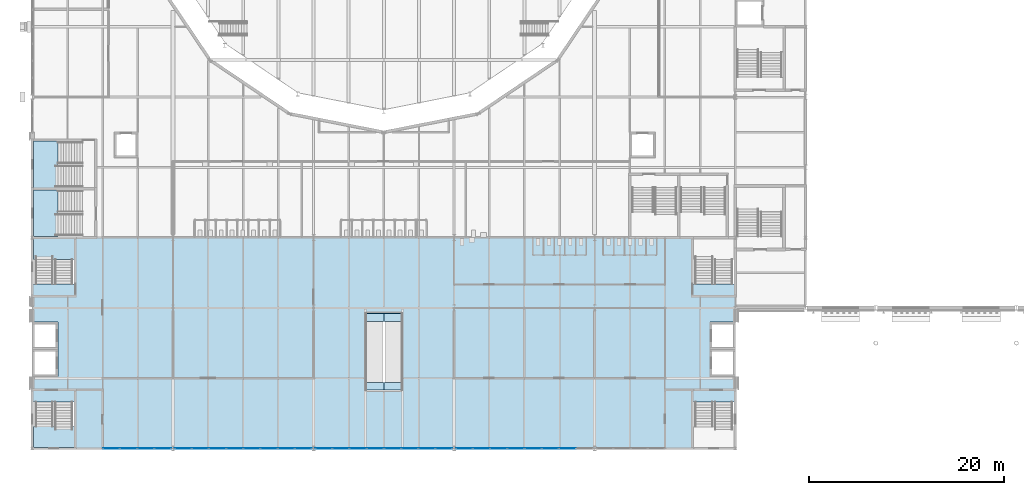
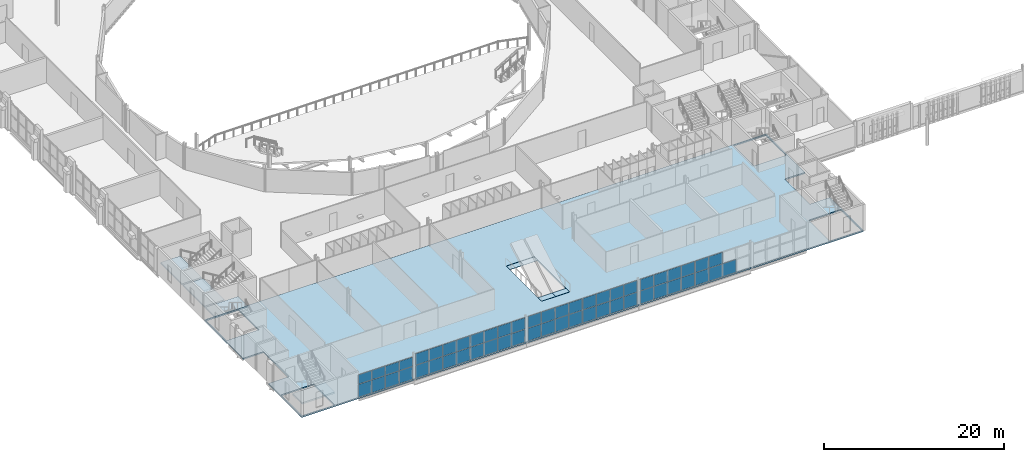
# One storey, part 57 of 124: 57 plates, 5 slabs, 11 elements without a shape of their own.
"""IFC4 building model written with IfcOpenShell, lengths in metres."""

from ifc_helpers import new_model, si_unit, direction, frame, origin, origin_2d, place, context, subcontext, project, spatial, polyline, rectangle, outline, extrude, material, layer, layer_set, type_object, element, aggregate, save


model = new_model("IFC4")

# Units and contexts
model_context = context("Model", 3, precision=1e-05, world=origin(), true_north=direction((0.0, 1.0)))
body_context = subcontext(model_context, "Body", "Model", "MODEL_VIEW")
ifc_project = project(units=[si_unit("LENGTHUNIT", "METRE"), si_unit("AREAUNIT", "SQUARE_METRE"), si_unit("VOLUMEUNIT", "CUBIC_METRE"), si_unit("PLANEANGLEUNIT", "RADIAN"), si_unit("MASSUNIT", "GRAM", prefix="KILO")], contexts=[model_context])

# Site, building, storey
site_placement = place(None, origin())
site = spatial("IfcSite", under=ifc_project, at=site_placement, CompositionType="ELEMENT")
building_placement = place(site_placement, origin())
building = spatial("IfcBuilding", under=site, at=building_placement, Name="Kupolbacken Congress Centre", CompositionType="ELEMENT")
storey_placement = place(building_placement, frame((0.0, 0.0, 10.800048828125)))
storey = spatial("IfcBuildingStorey", under=building, at=storey_placement, Name="L03", CompositionType="ELEMENT", Elevation=10.800048828125)

# Plates
ifc_material_1 = material(Name="Steel S355", Category="steel")
ifc_layer_1 = layer(ifc_material_1, 0.0400390625)
ifc_layer_set_1 = layer_set([ifc_layer_1], Name="Steel S355")
plate_type_1 = type_object("IfcPlateType", Name="EP1 escalator comb plate 40", PredefinedType="SHEET", material=ifc_layer_set_1)
plate_1_placement = place(storey_placement, frame((0.0, 0.0, -0.0400390625)))
element("IfcPlate", 1, at=plate_1_placement, inside=storey, type_object=plate_type_1, Name="Escalator comb plate", PredefinedType="SHEET", context=body_context, shape_type="SweptSolid", body=[
    extrude(outline(polyline([(41.39990234375, 41.817626953125), (43.199951171875, 41.817626953125), (43.199951171875, 42.61767578125), (41.39990234375, 42.61767578125), (41.39990234375, 41.817626953125)])), origin(), (0.0, 0.0, 1.0), 0.0400390625),
])
plate_2_placement = place(storey_placement, frame((0.0, 0.0, -0.0400390625)))
element("IfcPlate", 2, at=plate_2_placement, inside=storey, type_object=plate_type_1, Name="Escalator comb plate", PredefinedType="SHEET", context=body_context, shape_type="SweptSolid", body=[
    extrude(outline(polyline([(43.199951171875, 41.817626953125), (45.0, 41.817626953125), (45.0, 42.61767578125), (43.199951171875, 42.61767578125), (43.199951171875, 41.817626953125)])), origin(), (0.0, 0.0, 1.0), 0.0400390625),
])
plate_3_placement = place(storey_placement, frame((0.0, 0.0, -0.0400390625)))
element("IfcPlate", 3, at=plate_3_placement, inside=storey, type_object=plate_type_1, Name="Escalator comb plate", PredefinedType="SHEET", context=body_context, shape_type="SweptSolid", body=[
    extrude(outline(polyline([(41.39990234375, 34.7822265625), (43.199951171875, 34.7822265625), (43.199951171875, 35.582275390625), (41.39990234375, 35.582275390625), (41.39990234375, 34.7822265625)])), origin(), (0.0, 0.0, 1.0), 0.0400390625),
])
plate_4_placement = place(storey_placement, frame((0.0, 0.0, -0.0400390625)))
element("IfcPlate", 4, at=plate_4_placement, inside=storey, type_object=plate_type_1, Name="Escalator comb plate", PredefinedType="SHEET", context=body_context, shape_type="SweptSolid", body=[
    extrude(outline(polyline([(43.199951171875, 34.7822265625), (45.0, 34.7822265625), (45.0, 35.582275390625), (43.199951171875, 35.582275390625), (43.199951171875, 34.7822265625)])), origin(), (0.0, 0.0, 1.0), 0.0400390625),
])

# Slab
ifc_material_2 = material(Name="Concrete C30/37", Category="concrete")
ifc_layer_2 = layer(ifc_material_2, 0.1201171875)
ifc_material_3 = material(Name="Steel S350 profiled deck", Category="steel")
ifc_layer_3 = layer(ifc_material_3, 0.06005859375)
ifc_layer_set_2 = layer_set([ifc_layer_2, ifc_layer_3], Name="Concrete C30/37 / Steel S350 profiled deck")
slab_type_1 = type_object("IfcSlabType", Name="FS3 slab 180", PredefinedType="FLOOR", material=ifc_layer_set_2)
slab_1_placement = place(storey_placement, frame((0.0, 0.0, -0.179931640625)))
element("IfcSlab", 5, at=slab_1_placement, inside=storey, type_object=slab_type_1, Name="S/floor/F/L03/slab/slab", PredefinedType="FLOOR", context=body_context, shape_type="SweptSolid", body=[
    extrude(outline(polyline([(79.199462890625, 28.800537109375), (79.199462890625, 36.1494140625), (76.599609375, 36.1494140625), (76.599609375, 41.75048828125), (79.199462890625, 41.75048828125), (79.199462890625, 50.3994140625), (7.200439453125, 50.3994140625), (7.200439453125, 41.75048828125), (9.800537109375, 41.75048828125), (9.800537109375, 36.1494140625), (7.200439453125, 36.1494140625), (7.200439453125, 28.800537109375), (79.199462890625, 28.800537109375)]), holes=[polyline([(79.075439453125, 33.54052734375), (79.075439453125, 28.924560546875), (74.924560546875, 28.924560546875), (74.924560546875, 33.54052734375), (79.075439453125, 33.54052734375)]), polyline([(79.075439453125, 45.659423828125), (74.924560546875, 45.659423828125), (74.924560546875, 50.275390625), (79.075439453125, 50.275390625), (79.075439453125, 45.659423828125)]), polyline([(41.3994140625, 34.76171875), (41.3994140625, 42.63818359375), (45.00048828125, 42.63818359375), (45.00048828125, 34.76171875), (41.3994140625, 34.76171875)]), polyline([(7.324462890625, 33.54052734375), (11.4755859375, 33.54052734375), (11.4755859375, 28.924560546875), (7.324462890625, 28.924560546875), (7.324462890625, 33.54052734375)]), polyline([(11.4755859375, 45.659423828125), (7.324462890625, 45.659423828125), (7.324462890625, 50.275390625), (11.4755859375, 50.275390625), (11.4755859375, 45.659423828125)])]), origin(), (0.0, 0.0, 1.0), 0.179931640625),
])

# Curtain wall, plates
ifc_material_4 = material(Name="Aluminium mullion-transom frame with glass", Category="aluminium")
curtain_wall_type = type_object("IfcCurtainWallType", Name="CW1 curtain wall 7200x3600", PredefinedType="NOTDEFINED", material=ifc_material_4)
curtain_wall_1_placement = place(storey_placement, origin())
curtain_wall_1 = element("IfcCurtainWall", 6, at=curtain_wall_1_placement, inside=storey, type_object=curtain_wall_type, Name="E/F/S/L03/328", PredefinedType="NOTDEFINED")
ifc_material_5 = material(Name="Glass", Category="glass")
ifc_layer_4 = layer(ifc_material_5, 0.035888671875)
ifc_layer_set_3 = layer_set([ifc_layer_4], Name="Glass")
plate_type_2 = type_object("IfcPlateType", Name="GL2 glass panel 36", PredefinedType="CURTAIN_PANEL", material=ifc_layer_set_3)
plate_5_placement = place(storey_placement, frame((15.293701171875, 28.800048828125, 0.0498046875), z_axis=(0.0, 0.0, 1.0), x_axis=(1.0, 0.0, 0.0)))
plate_5 = element("IfcPlate", 7, at=plate_5_placement, type_object=plate_type_2, Name="CW1 panel 1.1", PredefinedType="CURTAIN_PANEL", context=body_context, shape_type="SweptSolid", body=[
    extrude(rectangle(XDim=1.6875, YDim=0.035888671875, at=origin_2d()), origin(), (0.0, 0.0, 1.0), 1.72509765625),
])
plate_6_placement = place(storey_placement, frame((15.293701171875, 28.800048828125, 1.824951171875), z_axis=(0.0, 0.0, 1.0), x_axis=(1.0, 0.0, 0.0)))
plate_6 = element("IfcPlate", 8, at=plate_6_placement, type_object=plate_type_2, Name="CW1 panel 1.2", PredefinedType="CURTAIN_PANEL", context=body_context, shape_type="SweptSolid", body=[
    extrude(rectangle(XDim=1.6875, YDim=0.035888671875, at=origin_2d()), origin(), (0.0, 0.0, 1.0), 1.2451171875),
])
plate_7_placement = place(storey_placement, frame((17.043701171875, 28.800048828125, 0.0498046875), z_axis=(0.0, 0.0, 1.0), x_axis=(1.0, 0.0, 0.0)))
plate_7 = element("IfcPlate", 9, at=plate_7_placement, type_object=plate_type_2, Name="CW1 panel 2.1", PredefinedType="CURTAIN_PANEL", context=body_context, shape_type="SweptSolid", body=[
    extrude(rectangle(XDim=1.71240234375, YDim=0.035888671875, at=origin_2d()), origin(), (0.0, 0.0, 1.0), 1.72509765625),
])
plate_8_placement = place(storey_placement, frame((17.043701171875, 28.800048828125, 1.824951171875), z_axis=(0.0, 0.0, 1.0), x_axis=(1.0, 0.0, 0.0)))
plate_8 = element("IfcPlate", 10, at=plate_8_placement, type_object=plate_type_2, Name="CW1 panel 2.2", PredefinedType="CURTAIN_PANEL", context=body_context, shape_type="SweptSolid", body=[
    extrude(rectangle(XDim=1.71240234375, YDim=0.035888671875, at=origin_2d()), origin(), (0.0, 0.0, 1.0), 1.2451171875),
])
plate_9_placement = place(storey_placement, frame((18.80615234375, 28.800048828125, 0.0498046875), z_axis=(0.0, 0.0, 1.0), x_axis=(1.0, 0.0, 0.0)))
plate_9 = element("IfcPlate", 11, at=plate_9_placement, type_object=plate_type_2, Name="CW1 panel 3.1", PredefinedType="CURTAIN_PANEL", context=body_context, shape_type="SweptSolid", body=[
    extrude(rectangle(XDim=1.71240234375, YDim=0.035888671875, at=origin_2d()), origin(), (0.0, 0.0, 1.0), 1.72509765625),
])
plate_10_placement = place(storey_placement, frame((18.80615234375, 28.800048828125, 1.824951171875), z_axis=(0.0, 0.0, 1.0), x_axis=(1.0, 0.0, 0.0)))
plate_10 = element("IfcPlate", 12, at=plate_10_placement, type_object=plate_type_2, Name="CW1 panel 3.2", PredefinedType="CURTAIN_PANEL", context=body_context, shape_type="SweptSolid", body=[
    extrude(rectangle(XDim=1.71240234375, YDim=0.035888671875, at=origin_2d()), origin(), (0.0, 0.0, 1.0), 1.2451171875),
])
plate_11_placement = place(storey_placement, frame((20.55615234375, 28.800048828125, 0.0498046875), z_axis=(0.0, 0.0, 1.0), x_axis=(1.0, 0.0, 0.0)))
plate_11 = element("IfcPlate", 13, at=plate_11_placement, type_object=plate_type_2, Name="CW1 panel 4.1", PredefinedType="CURTAIN_PANEL", context=body_context, shape_type="SweptSolid", body=[
    extrude(rectangle(XDim=1.6875, YDim=0.035888671875, at=origin_2d()), origin(), (0.0, 0.0, 1.0), 1.72509765625),
])
plate_12_placement = place(storey_placement, frame((20.55615234375, 28.800048828125, 1.824951171875), z_axis=(0.0, 0.0, 1.0), x_axis=(1.0, 0.0, 0.0)))
plate_12 = element("IfcPlate", 14, at=plate_12_placement, type_object=plate_type_2, Name="CW1 panel 4.2", PredefinedType="CURTAIN_PANEL", context=body_context, shape_type="SweptSolid", body=[
    extrude(rectangle(XDim=1.6875, YDim=0.035888671875, at=origin_2d()), origin(), (0.0, 0.0, 1.0), 1.2451171875),
])
aggregate(curtain_wall_1, [plate_5, plate_6, plate_7, plate_8, plate_9, plate_10, plate_11, plate_12])

curtain_wall_2_placement = place(storey_placement, origin())
curtain_wall_2 = element("IfcCurtainWall", 15, at=curtain_wall_2_placement, inside=storey, type_object=curtain_wall_type, Name="E/F/S/L03/329", PredefinedType="NOTDEFINED")
plate_13_placement = place(storey_placement, frame((22.643798828125, 28.800048828125, 0.0498046875), z_axis=(0.0, 0.0, 1.0), x_axis=(1.0, 0.0, 0.0)))
plate_13 = element("IfcPlate", 16, at=plate_13_placement, type_object=plate_type_2, Name="CW1 panel 1.1", PredefinedType="CURTAIN_PANEL", context=body_context, shape_type="SweptSolid", body=[
    extrude(rectangle(XDim=1.6875, YDim=0.035888671875, at=origin_2d()), origin(), (0.0, 0.0, 1.0), 1.72509765625),
])
plate_14_placement = place(storey_placement, frame((22.643798828125, 28.800048828125, 1.824951171875), z_axis=(0.0, 0.0, 1.0), x_axis=(1.0, 0.0, 0.0)))
plate_14 = element("IfcPlate", 17, at=plate_14_placement, type_object=plate_type_2, Name="CW1 panel 1.2", PredefinedType="CURTAIN_PANEL", context=body_context, shape_type="SweptSolid", body=[
    extrude(rectangle(XDim=1.6875, YDim=0.035888671875, at=origin_2d()), origin(), (0.0, 0.0, 1.0), 1.544921875),
])
plate_15_placement = place(storey_placement, frame((24.393798828125, 28.800048828125, 0.0498046875), z_axis=(0.0, 0.0, 1.0), x_axis=(1.0, 0.0, 0.0)))
plate_15 = element("IfcPlate", 18, at=plate_15_placement, type_object=plate_type_2, Name="CW1 panel 2.1", PredefinedType="CURTAIN_PANEL", context=body_context, shape_type="SweptSolid", body=[
    extrude(rectangle(XDim=1.71240234375, YDim=0.035888671875, at=origin_2d()), origin(), (0.0, 0.0, 1.0), 1.72509765625),
])
plate_16_placement = place(storey_placement, frame((24.393798828125, 28.800048828125, 1.824951171875), z_axis=(0.0, 0.0, 1.0), x_axis=(1.0, 0.0, 0.0)))
plate_16 = element("IfcPlate", 19, at=plate_16_placement, type_object=plate_type_2, Name="CW1 panel 2.2", PredefinedType="CURTAIN_PANEL", context=body_context, shape_type="SweptSolid", body=[
    extrude(rectangle(XDim=1.71240234375, YDim=0.035888671875, at=origin_2d()), origin(), (0.0, 0.0, 1.0), 1.544921875),
])
plate_17_placement = place(storey_placement, frame((26.15625, 28.800048828125, 0.0498046875), z_axis=(0.0, 0.0, 1.0), x_axis=(1.0, 0.0, 0.0)))
plate_17 = element("IfcPlate", 20, at=plate_17_placement, type_object=plate_type_2, Name="CW1 panel 3.1", PredefinedType="CURTAIN_PANEL", context=body_context, shape_type="SweptSolid", body=[
    extrude(rectangle(XDim=1.71240234375, YDim=0.035888671875, at=origin_2d()), origin(), (0.0, 0.0, 1.0), 1.72509765625),
])
plate_18_placement = place(storey_placement, frame((26.15625, 28.800048828125, 1.824951171875), z_axis=(0.0, 0.0, 1.0), x_axis=(1.0, 0.0, 0.0)))
plate_18 = element("IfcPlate", 21, at=plate_18_placement, type_object=plate_type_2, Name="CW1 panel 3.2", PredefinedType="CURTAIN_PANEL", context=body_context, shape_type="SweptSolid", body=[
    extrude(rectangle(XDim=1.71240234375, YDim=0.035888671875, at=origin_2d()), origin(), (0.0, 0.0, 1.0), 1.544921875),
])
plate_19_placement = place(storey_placement, frame((27.90625, 28.800048828125, 0.0498046875), z_axis=(0.0, 0.0, 1.0), x_axis=(1.0, 0.0, 0.0)))
plate_19 = element("IfcPlate", 22, at=plate_19_placement, type_object=plate_type_2, Name="CW1 panel 4.1", PredefinedType="CURTAIN_PANEL", context=body_context, shape_type="SweptSolid", body=[
    extrude(rectangle(XDim=1.6875, YDim=0.035888671875, at=origin_2d()), origin(), (0.0, 0.0, 1.0), 1.72509765625),
])
plate_20_placement = place(storey_placement, frame((27.90625, 28.800048828125, 1.824951171875), z_axis=(0.0, 0.0, 1.0), x_axis=(1.0, 0.0, 0.0)))
plate_20 = element("IfcPlate", 23, at=plate_20_placement, type_object=plate_type_2, Name="CW1 panel 4.2", PredefinedType="CURTAIN_PANEL", context=body_context, shape_type="SweptSolid", body=[
    extrude(rectangle(XDim=1.6875, YDim=0.035888671875, at=origin_2d()), origin(), (0.0, 0.0, 1.0), 1.544921875),
])
aggregate(curtain_wall_2, [plate_13, plate_14, plate_15, plate_16, plate_17, plate_18, plate_19, plate_20])

curtain_wall_3_placement = place(storey_placement, origin())
curtain_wall_3 = element("IfcCurtainWall", 24, at=curtain_wall_3_placement, inside=storey, type_object=curtain_wall_type, Name="E/F/S/L03/330", PredefinedType="NOTDEFINED")
plate_21_placement = place(storey_placement, frame((29.69384765625, 28.800048828125, 0.0498046875), z_axis=(0.0, 0.0, 1.0), x_axis=(1.0, 0.0, 0.0)))
plate_21 = element("IfcPlate", 25, at=plate_21_placement, type_object=plate_type_2, Name="CW1 panel 1.1", PredefinedType="CURTAIN_PANEL", context=body_context, shape_type="SweptSolid", body=[
    extrude(rectangle(XDim=1.6875, YDim=0.035888671875, at=origin_2d()), origin(), (0.0, 0.0, 1.0), 1.72509765625),
])
plate_22_placement = place(storey_placement, frame((29.69384765625, 28.800048828125, 1.824951171875), z_axis=(0.0, 0.0, 1.0), x_axis=(1.0, 0.0, 0.0)))
plate_22 = element("IfcPlate", 26, at=plate_22_placement, type_object=plate_type_2, Name="CW1 panel 1.2", PredefinedType="CURTAIN_PANEL", context=body_context, shape_type="SweptSolid", body=[
    extrude(rectangle(XDim=1.6875, YDim=0.035888671875, at=origin_2d()), origin(), (0.0, 0.0, 1.0), 1.544921875),
])
plate_23_placement = place(storey_placement, frame((31.44384765625, 28.800048828125, 0.0498046875), z_axis=(0.0, 0.0, 1.0), x_axis=(1.0, 0.0, 0.0)))
plate_23 = element("IfcPlate", 27, at=plate_23_placement, type_object=plate_type_2, Name="CW1 panel 2.1", PredefinedType="CURTAIN_PANEL", context=body_context, shape_type="SweptSolid", body=[
    extrude(rectangle(XDim=1.71240234375, YDim=0.035888671875, at=origin_2d()), origin(), (0.0, 0.0, 1.0), 1.72509765625),
])
plate_24_placement = place(storey_placement, frame((31.44384765625, 28.800048828125, 1.824951171875), z_axis=(0.0, 0.0, 1.0), x_axis=(1.0, 0.0, 0.0)))
plate_24 = element("IfcPlate", 28, at=plate_24_placement, type_object=plate_type_2, Name="CW1 panel 2.2", PredefinedType="CURTAIN_PANEL", context=body_context, shape_type="SweptSolid", body=[
    extrude(rectangle(XDim=1.71240234375, YDim=0.035888671875, at=origin_2d()), origin(), (0.0, 0.0, 1.0), 1.544921875),
])
plate_25_placement = place(storey_placement, frame((33.206298828125, 28.800048828125, 0.0498046875), z_axis=(0.0, 0.0, 1.0), x_axis=(1.0, 0.0, 0.0)))
plate_25 = element("IfcPlate", 29, at=plate_25_placement, type_object=plate_type_2, Name="CW1 panel 3.1", PredefinedType="CURTAIN_PANEL", context=body_context, shape_type="SweptSolid", body=[
    extrude(rectangle(XDim=1.71240234375, YDim=0.035888671875, at=origin_2d()), origin(), (0.0, 0.0, 1.0), 1.72509765625),
])
plate_26_placement = place(storey_placement, frame((33.206298828125, 28.800048828125, 1.824951171875), z_axis=(0.0, 0.0, 1.0), x_axis=(1.0, 0.0, 0.0)))
plate_26 = element("IfcPlate", 30, at=plate_26_placement, type_object=plate_type_2, Name="CW1 panel 3.2", PredefinedType="CURTAIN_PANEL", context=body_context, shape_type="SweptSolid", body=[
    extrude(rectangle(XDim=1.71240234375, YDim=0.035888671875, at=origin_2d()), origin(), (0.0, 0.0, 1.0), 1.544921875),
])
plate_27_placement = place(storey_placement, frame((34.956298828125, 28.800048828125, 0.0498046875), z_axis=(0.0, 0.0, 1.0), x_axis=(1.0, 0.0, 0.0)))
plate_27 = element("IfcPlate", 31, at=plate_27_placement, type_object=plate_type_2, Name="CW1 panel 4.1", PredefinedType="CURTAIN_PANEL", context=body_context, shape_type="SweptSolid", body=[
    extrude(rectangle(XDim=1.6875, YDim=0.035888671875, at=origin_2d()), origin(), (0.0, 0.0, 1.0), 1.72509765625),
])
plate_28_placement = place(storey_placement, frame((34.956298828125, 28.800048828125, 1.824951171875), z_axis=(0.0, 0.0, 1.0), x_axis=(1.0, 0.0, 0.0)))
plate_28 = element("IfcPlate", 32, at=plate_28_placement, type_object=plate_type_2, Name="CW1 panel 4.2", PredefinedType="CURTAIN_PANEL", context=body_context, shape_type="SweptSolid", body=[
    extrude(rectangle(XDim=1.6875, YDim=0.035888671875, at=origin_2d()), origin(), (0.0, 0.0, 1.0), 1.544921875),
])
aggregate(curtain_wall_3, [plate_21, plate_22, plate_23, plate_24, plate_25, plate_26, plate_27, plate_28])

curtain_wall_4_placement = place(storey_placement, origin())
curtain_wall_4 = element("IfcCurtainWall", 33, at=curtain_wall_4_placement, inside=storey, type_object=curtain_wall_type, Name="E/F/S/L03/331", PredefinedType="NOTDEFINED")
plate_29_placement = place(storey_placement, frame((37.043701171875, 28.800048828125, 0.0498046875), z_axis=(0.0, 0.0, 1.0), x_axis=(1.0, 0.0, 0.0)))
plate_29 = element("IfcPlate", 34, at=plate_29_placement, type_object=plate_type_2, Name="CW1 panel 1.1", PredefinedType="CURTAIN_PANEL", context=body_context, shape_type="SweptSolid", body=[
    extrude(rectangle(XDim=1.6875, YDim=0.035888671875, at=origin_2d()), origin(), (0.0, 0.0, 1.0), 1.72509765625),
])
plate_30_placement = place(storey_placement, frame((37.043701171875, 28.800048828125, 1.824951171875), z_axis=(0.0, 0.0, 1.0), x_axis=(1.0, 0.0, 0.0)))
plate_30 = element("IfcPlate", 35, at=plate_30_placement, type_object=plate_type_2, Name="CW1 panel 1.2", PredefinedType="CURTAIN_PANEL", context=body_context, shape_type="SweptSolid", body=[
    extrude(rectangle(XDim=1.6875, YDim=0.035888671875, at=origin_2d()), origin(), (0.0, 0.0, 1.0), 1.544921875),
])
plate_31_placement = place(storey_placement, frame((38.793701171875, 28.800048828125, 0.0498046875), z_axis=(0.0, 0.0, 1.0), x_axis=(1.0, 0.0, 0.0)))
plate_31 = element("IfcPlate", 36, at=plate_31_placement, type_object=plate_type_2, Name="CW1 panel 2.1", PredefinedType="CURTAIN_PANEL", context=body_context, shape_type="SweptSolid", body=[
    extrude(rectangle(XDim=1.71240234375, YDim=0.035888671875, at=origin_2d()), origin(), (0.0, 0.0, 1.0), 1.72509765625),
])
plate_32_placement = place(storey_placement, frame((38.793701171875, 28.800048828125, 1.824951171875), z_axis=(0.0, 0.0, 1.0), x_axis=(1.0, 0.0, 0.0)))
plate_32 = element("IfcPlate", 37, at=plate_32_placement, type_object=plate_type_2, Name="CW1 panel 2.2", PredefinedType="CURTAIN_PANEL", context=body_context, shape_type="SweptSolid", body=[
    extrude(rectangle(XDim=1.71240234375, YDim=0.035888671875, at=origin_2d()), origin(), (0.0, 0.0, 1.0), 1.544921875),
])
plate_33_placement = place(storey_placement, frame((40.55615234375, 28.800048828125, 0.0498046875), z_axis=(0.0, 0.0, 1.0), x_axis=(1.0, 0.0, 0.0)))
plate_33 = element("IfcPlate", 38, at=plate_33_placement, type_object=plate_type_2, Name="CW1 panel 3.1", PredefinedType="CURTAIN_PANEL", context=body_context, shape_type="SweptSolid", body=[
    extrude(rectangle(XDim=1.71240234375, YDim=0.035888671875, at=origin_2d()), origin(), (0.0, 0.0, 1.0), 1.72509765625),
])
plate_34_placement = place(storey_placement, frame((40.55615234375, 28.800048828125, 1.824951171875), z_axis=(0.0, 0.0, 1.0), x_axis=(1.0, 0.0, 0.0)))
plate_34 = element("IfcPlate", 39, at=plate_34_placement, type_object=plate_type_2, Name="CW1 panel 3.2", PredefinedType="CURTAIN_PANEL", context=body_context, shape_type="SweptSolid", body=[
    extrude(rectangle(XDim=1.71240234375, YDim=0.035888671875, at=origin_2d()), origin(), (0.0, 0.0, 1.0), 1.544921875),
])
plate_35_placement = place(storey_placement, frame((42.30615234375, 28.800048828125, 0.0498046875), z_axis=(0.0, 0.0, 1.0), x_axis=(1.0, 0.0, 0.0)))
plate_35 = element("IfcPlate", 40, at=plate_35_placement, type_object=plate_type_2, Name="CW1 panel 4.1", PredefinedType="CURTAIN_PANEL", context=body_context, shape_type="SweptSolid", body=[
    extrude(rectangle(XDim=1.6875, YDim=0.035888671875, at=origin_2d()), origin(), (0.0, 0.0, 1.0), 1.72509765625),
])
plate_36_placement = place(storey_placement, frame((42.30615234375, 28.800048828125, 1.824951171875), z_axis=(0.0, 0.0, 1.0), x_axis=(1.0, 0.0, 0.0)))
plate_36 = element("IfcPlate", 41, at=plate_36_placement, type_object=plate_type_2, Name="CW1 panel 4.2", PredefinedType="CURTAIN_PANEL", context=body_context, shape_type="SweptSolid", body=[
    extrude(rectangle(XDim=1.6875, YDim=0.035888671875, at=origin_2d()), origin(), (0.0, 0.0, 1.0), 1.544921875),
])
aggregate(curtain_wall_4, [plate_29, plate_30, plate_31, plate_32, plate_33, plate_34, plate_35, plate_36])

curtain_wall_5_placement = place(storey_placement, origin())
curtain_wall_5 = element("IfcCurtainWall", 42, at=curtain_wall_5_placement, inside=storey, type_object=curtain_wall_type, Name="E/F/S/L03/332", PredefinedType="NOTDEFINED")
plate_37_placement = place(storey_placement, frame((44.09375, 28.800048828125, 0.0498046875), z_axis=(0.0, 0.0, 1.0), x_axis=(1.0, 0.0, 0.0)))
plate_37 = element("IfcPlate", 43, at=plate_37_placement, type_object=plate_type_2, Name="CW1 panel 1.1", PredefinedType="CURTAIN_PANEL", context=body_context, shape_type="SweptSolid", body=[
    extrude(rectangle(XDim=1.6875, YDim=0.035888671875, at=origin_2d()), origin(), (0.0, 0.0, 1.0), 1.72509765625),
])
plate_38_placement = place(storey_placement, frame((44.09375, 28.800048828125, 1.824951171875), z_axis=(0.0, 0.0, 1.0), x_axis=(1.0, 0.0, 0.0)))
plate_38 = element("IfcPlate", 44, at=plate_38_placement, type_object=plate_type_2, Name="CW1 panel 1.2", PredefinedType="CURTAIN_PANEL", context=body_context, shape_type="SweptSolid", body=[
    extrude(rectangle(XDim=1.6875, YDim=0.035888671875, at=origin_2d()), origin(), (0.0, 0.0, 1.0), 1.544921875),
])
plate_39_placement = place(storey_placement, frame((45.84375, 28.800048828125, 0.0498046875), z_axis=(0.0, 0.0, 1.0), x_axis=(1.0, 0.0, 0.0)))
plate_39 = element("IfcPlate", 45, at=plate_39_placement, type_object=plate_type_2, Name="CW1 panel 2.1", PredefinedType="CURTAIN_PANEL", context=body_context, shape_type="SweptSolid", body=[
    extrude(rectangle(XDim=1.71240234375, YDim=0.035888671875, at=origin_2d()), origin(), (0.0, 0.0, 1.0), 1.72509765625),
])
plate_40_placement = place(storey_placement, frame((45.84375, 28.800048828125, 1.824951171875), z_axis=(0.0, 0.0, 1.0), x_axis=(1.0, 0.0, 0.0)))
plate_40 = element("IfcPlate", 46, at=plate_40_placement, type_object=plate_type_2, Name="CW1 panel 2.2", PredefinedType="CURTAIN_PANEL", context=body_context, shape_type="SweptSolid", body=[
    extrude(rectangle(XDim=1.71240234375, YDim=0.035888671875, at=origin_2d()), origin(), (0.0, 0.0, 1.0), 1.544921875),
])
plate_41_placement = place(storey_placement, frame((47.606201171875, 28.800048828125, 0.0498046875), z_axis=(0.0, 0.0, 1.0), x_axis=(1.0, 0.0, 0.0)))
plate_41 = element("IfcPlate", 47, at=plate_41_placement, type_object=plate_type_2, Name="CW1 panel 3.1", PredefinedType="CURTAIN_PANEL", context=body_context, shape_type="SweptSolid", body=[
    extrude(rectangle(XDim=1.71240234375, YDim=0.035888671875, at=origin_2d()), origin(), (0.0, 0.0, 1.0), 1.72509765625),
])
plate_42_placement = place(storey_placement, frame((47.606201171875, 28.800048828125, 1.824951171875), z_axis=(0.0, 0.0, 1.0), x_axis=(1.0, 0.0, 0.0)))
plate_42 = element("IfcPlate", 48, at=plate_42_placement, type_object=plate_type_2, Name="CW1 panel 3.2", PredefinedType="CURTAIN_PANEL", context=body_context, shape_type="SweptSolid", body=[
    extrude(rectangle(XDim=1.71240234375, YDim=0.035888671875, at=origin_2d()), origin(), (0.0, 0.0, 1.0), 1.544921875),
])
plate_43_placement = place(storey_placement, frame((49.356201171875, 28.800048828125, 0.0498046875), z_axis=(0.0, 0.0, 1.0), x_axis=(1.0, 0.0, 0.0)))
plate_43 = element("IfcPlate", 49, at=plate_43_placement, type_object=plate_type_2, Name="CW1 panel 4.1", PredefinedType="CURTAIN_PANEL", context=body_context, shape_type="SweptSolid", body=[
    extrude(rectangle(XDim=1.6875, YDim=0.035888671875, at=origin_2d()), origin(), (0.0, 0.0, 1.0), 1.72509765625),
])
plate_44_placement = place(storey_placement, frame((49.356201171875, 28.800048828125, 1.824951171875), z_axis=(0.0, 0.0, 1.0), x_axis=(1.0, 0.0, 0.0)))
plate_44 = element("IfcPlate", 50, at=plate_44_placement, type_object=plate_type_2, Name="CW1 panel 4.2", PredefinedType="CURTAIN_PANEL", context=body_context, shape_type="SweptSolid", body=[
    extrude(rectangle(XDim=1.6875, YDim=0.035888671875, at=origin_2d()), origin(), (0.0, 0.0, 1.0), 1.544921875),
])
aggregate(curtain_wall_5, [plate_37, plate_38, plate_39, plate_40, plate_41, plate_42, plate_43, plate_44])

curtain_wall_6_placement = place(storey_placement, origin())
curtain_wall_6 = element("IfcCurtainWall", 51, at=curtain_wall_6_placement, inside=storey, type_object=curtain_wall_type, Name="E/F/S/L03/333", PredefinedType="NOTDEFINED")
plate_45_placement = place(storey_placement, frame((51.44384765625, 28.800048828125, 0.0498046875), z_axis=(0.0, 0.0, 1.0), x_axis=(1.0, 0.0, 0.0)))
plate_45 = element("IfcPlate", 52, at=plate_45_placement, type_object=plate_type_2, Name="CW1 panel 1.1", PredefinedType="CURTAIN_PANEL", context=body_context, shape_type="SweptSolid", body=[
    extrude(rectangle(XDim=1.6875, YDim=0.035888671875, at=origin_2d()), origin(), (0.0, 0.0, 1.0), 1.72509765625),
])
plate_46_placement = place(storey_placement, frame((51.44384765625, 28.800048828125, 1.824951171875), z_axis=(0.0, 0.0, 1.0), x_axis=(1.0, 0.0, 0.0)))
plate_46 = element("IfcPlate", 53, at=plate_46_placement, type_object=plate_type_2, Name="CW1 panel 1.2", PredefinedType="CURTAIN_PANEL", context=body_context, shape_type="SweptSolid", body=[
    extrude(rectangle(XDim=1.6875, YDim=0.035888671875, at=origin_2d()), origin(), (0.0, 0.0, 1.0), 1.544921875),
])
plate_47_placement = place(storey_placement, frame((53.19384765625, 28.800048828125, 0.0498046875), z_axis=(0.0, 0.0, 1.0), x_axis=(1.0, 0.0, 0.0)))
plate_47 = element("IfcPlate", 54, at=plate_47_placement, type_object=plate_type_2, Name="CW1 panel 2.1", PredefinedType="CURTAIN_PANEL", context=body_context, shape_type="SweptSolid", body=[
    extrude(rectangle(XDim=1.71240234375, YDim=0.035888671875, at=origin_2d()), origin(), (0.0, 0.0, 1.0), 1.72509765625),
])
plate_48_placement = place(storey_placement, frame((53.19384765625, 28.800048828125, 1.824951171875), z_axis=(0.0, 0.0, 1.0), x_axis=(1.0, 0.0, 0.0)))
plate_48 = element("IfcPlate", 55, at=plate_48_placement, type_object=plate_type_2, Name="CW1 panel 2.2", PredefinedType="CURTAIN_PANEL", context=body_context, shape_type="SweptSolid", body=[
    extrude(rectangle(XDim=1.71240234375, YDim=0.035888671875, at=origin_2d()), origin(), (0.0, 0.0, 1.0), 1.544921875),
])
plate_49_placement = place(storey_placement, frame((54.956298828125, 28.800048828125, 0.0498046875), z_axis=(0.0, 0.0, 1.0), x_axis=(1.0, 0.0, 0.0)))
plate_49 = element("IfcPlate", 56, at=plate_49_placement, type_object=plate_type_2, Name="CW1 panel 3.1", PredefinedType="CURTAIN_PANEL", context=body_context, shape_type="SweptSolid", body=[
    extrude(rectangle(XDim=1.71240234375, YDim=0.035888671875, at=origin_2d()), origin(), (0.0, 0.0, 1.0), 1.72509765625),
])
plate_50_placement = place(storey_placement, frame((54.956298828125, 28.800048828125, 1.824951171875), z_axis=(0.0, 0.0, 1.0), x_axis=(1.0, 0.0, 0.0)))
plate_50 = element("IfcPlate", 57, at=plate_50_placement, type_object=plate_type_2, Name="CW1 panel 3.2", PredefinedType="CURTAIN_PANEL", context=body_context, shape_type="SweptSolid", body=[
    extrude(rectangle(XDim=1.71240234375, YDim=0.035888671875, at=origin_2d()), origin(), (0.0, 0.0, 1.0), 1.544921875),
])
plate_51_placement = place(storey_placement, frame((56.706298828125, 28.800048828125, 0.0498046875), z_axis=(0.0, 0.0, 1.0), x_axis=(1.0, 0.0, 0.0)))
plate_51 = element("IfcPlate", 58, at=plate_51_placement, type_object=plate_type_2, Name="CW1 panel 4.1", PredefinedType="CURTAIN_PANEL", context=body_context, shape_type="SweptSolid", body=[
    extrude(rectangle(XDim=1.6875, YDim=0.035888671875, at=origin_2d()), origin(), (0.0, 0.0, 1.0), 1.72509765625),
])
plate_52_placement = place(storey_placement, frame((56.706298828125, 28.800048828125, 1.824951171875), z_axis=(0.0, 0.0, 1.0), x_axis=(1.0, 0.0, 0.0)))
plate_52 = element("IfcPlate", 59, at=plate_52_placement, type_object=plate_type_2, Name="CW1 panel 4.2", PredefinedType="CURTAIN_PANEL", context=body_context, shape_type="SweptSolid", body=[
    extrude(rectangle(XDim=1.6875, YDim=0.035888671875, at=origin_2d()), origin(), (0.0, 0.0, 1.0), 1.544921875),
])
aggregate(curtain_wall_6, [plate_45, plate_46, plate_47, plate_48, plate_49, plate_50, plate_51, plate_52])

curtain_wall_7_placement = place(storey_placement, origin())
curtain_wall_7 = element("IfcCurtainWall", 60, at=curtain_wall_7_placement, inside=storey, type_object=curtain_wall_type, Name="E/F/S/L03/334", PredefinedType="NOTDEFINED")
plate_53_placement = place(storey_placement, frame((58.49365234375, 28.800048828125, 0.0498046875), z_axis=(0.0, 0.0, 1.0), x_axis=(1.0, 0.0, 0.0)))
plate_53 = element("IfcPlate", 61, at=plate_53_placement, type_object=plate_type_2, Name="CW1 panel 1.1", PredefinedType="CURTAIN_PANEL", context=body_context, shape_type="SweptSolid", body=[
    extrude(rectangle(XDim=1.6875, YDim=0.035888671875, at=origin_2d()), origin(), (0.0, 0.0, 1.0), 1.72509765625),
])
plate_54_placement = place(storey_placement, frame((58.49365234375, 28.800048828125, 1.824951171875), z_axis=(0.0, 0.0, 1.0), x_axis=(1.0, 0.0, 0.0)))
plate_54 = element("IfcPlate", 62, at=plate_54_placement, type_object=plate_type_2, Name="CW1 panel 1.2", PredefinedType="CURTAIN_PANEL", context=body_context, shape_type="SweptSolid", body=[
    extrude(rectangle(XDim=1.6875, YDim=0.035888671875, at=origin_2d()), origin(), (0.0, 0.0, 1.0), 1.544921875),
])
plate_55_placement = place(storey_placement, frame((60.24365234375, 28.800048828125, 0.0498046875), z_axis=(0.0, 0.0, 1.0), x_axis=(1.0, 0.0, 0.0)))
plate_55 = element("IfcPlate", 63, at=plate_55_placement, type_object=plate_type_2, Name="CW1 panel 2.1", PredefinedType="CURTAIN_PANEL", context=body_context, shape_type="SweptSolid", body=[
    extrude(rectangle(XDim=1.71240234375, YDim=0.035888671875, at=origin_2d()), origin(), (0.0, 0.0, 1.0), 1.72509765625),
])
plate_56_placement = place(storey_placement, frame((60.24365234375, 28.800048828125, 1.824951171875), z_axis=(0.0, 0.0, 1.0), x_axis=(1.0, 0.0, 0.0)))
plate_56 = element("IfcPlate", 64, at=plate_56_placement, type_object=plate_type_2, Name="CW1 panel 2.2", PredefinedType="CURTAIN_PANEL", context=body_context, shape_type="SweptSolid", body=[
    extrude(rectangle(XDim=1.71240234375, YDim=0.035888671875, at=origin_2d()), origin(), (0.0, 0.0, 1.0), 1.544921875),
])
plate_57_placement = place(storey_placement, frame((62.00634765625, 28.800048828125, 0.0498046875), z_axis=(0.0, 0.0, 1.0), x_axis=(1.0, 0.0, 0.0)))
plate_57 = element("IfcPlate", 65, at=plate_57_placement, type_object=plate_type_2, Name="CW1 panel 3.1", PredefinedType="CURTAIN_PANEL", context=body_context, shape_type="SweptSolid", body=[
    extrude(rectangle(XDim=1.71240234375, YDim=0.035888671875, at=origin_2d()), origin(), (0.0, 0.0, 1.0), 1.72509765625),
])
aggregate(curtain_wall_7, [plate_53, plate_54, plate_55, plate_56, plate_57])

# Stair, slab
ifc_material_6 = material(Name="Steel S355", Category="steel")
stair_type_1 = type_object("IfcStairType", Name="ST3 stair 1800", PredefinedType="TWO_STRAIGHT_RUN_STAIR", material=ifc_material_6)
stair_1_placement = place(storey_placement, origin())
stair_1 = element("IfcStair", 66, at=stair_1_placement, inside=storey, type_object=stair_type_1, Name="C/stair/FS1W/L03", PredefinedType="NOTDEFINED")
ifc_layer_5 = layer(ifc_material_2, 0.175048828125)
ifc_material_7 = material(Name="Limestone", Category="masonry")
ifc_layer_6 = layer(ifc_material_7, 0.030029296875)
ifc_layer_set_4 = layer_set([ifc_layer_5, ifc_layer_6], Name="Concrete C30/37 / Limestone")
slab_type_2 = type_object("IfcSlabType", Name="SL2 slab 205", PredefinedType="LANDING", material=ifc_layer_set_4)
slab_2_placement = place(storey_placement, frame((0.0, 0.0, 1.50927734375)))
slab_2 = element("IfcSlab", 67, at=slab_2_placement, type_object=slab_type_2, Name="FS1W landing 1", PredefinedType="LANDING", context=body_context, shape_type="SweptSolid", body=[
    extrude(outline(polyline([(7.304931640625, 28.905029296875), (11.4951171875, 28.905029296875), (11.4951171875, 31.030029296875), (7.304931640625, 31.030029296875), (7.304931640625, 28.905029296875)])), origin(), (0.0, 0.0, 1.0), 0.205078125),
])
aggregate(stair_1, [slab_2])

stair_2_placement = place(storey_placement, origin())
stair_2 = element("IfcStair", 68, at=stair_2_placement, inside=storey, type_object=stair_type_1, Name="C/stair/FS2W/L03", PredefinedType="NOTDEFINED")
slab_3_placement = place(storey_placement, frame((0.0, 0.0, 1.50927734375)))
slab_3 = element("IfcSlab", 69, at=slab_3_placement, type_object=slab_type_2, Name="FS2W landing 1", PredefinedType="LANDING", context=body_context, shape_type="SweptSolid", body=[
    extrude(outline(polyline([(7.304931640625, 48.169921875), (11.4951171875, 48.169921875), (11.4951171875, 50.294921875), (7.304931640625, 50.294921875), (7.304931640625, 48.169921875)])), origin(), (0.0, 0.0, 1.0), 0.205078125),
])
aggregate(stair_2, [slab_3])

ifc_material_8 = material(Name="Concrete C30/37", Category="concrete")
stair_type_2 = type_object("IfcStairType", Name="ST13 stair 2200", PredefinedType="TWO_STRAIGHT_RUN_STAIR", material=ifc_material_8)
stair_3_placement = place(storey_placement, origin())
stair_3 = element("IfcStair", 70, at=stair_3_placement, inside=storey, type_object=stair_type_2, Name="C/stair/PS1SW/L03", PredefinedType="NOTDEFINED")
slab_4_placement = place(storey_placement, frame((0.0, 0.0, 1.50927734375)))
slab_4 = element("IfcSlab", 71, at=slab_4_placement, type_object=slab_type_2, Name="PS1SW landing 1", PredefinedType="LANDING", context=body_context, shape_type="SweptSolid", body=[
    extrude(outline(polyline([(7.304931640625, 50.5048828125), (9.830078125, 50.5048828125), (9.830078125, 55.294921875), (7.304931640625, 55.294921875), (7.304931640625, 50.5048828125)])), origin(), (0.0, 0.0, 1.0), 0.205078125),
])
aggregate(stair_3, [slab_4])

stair_4_placement = place(storey_placement, origin())
stair_4 = element("IfcStair", 72, at=stair_4_placement, inside=storey, type_object=stair_type_2, Name="C/stair/PS2SW/L03", PredefinedType="NOTDEFINED")
slab_5_placement = place(storey_placement, frame((0.0, 0.0, 1.50927734375)))
slab_5 = element("IfcSlab", 73, at=slab_5_placement, type_object=slab_type_2, Name="PS2SW landing 1", PredefinedType="LANDING", context=body_context, shape_type="SweptSolid", body=[
    extrude(outline(polyline([(7.304931640625, 55.5048828125), (9.830078125, 55.5048828125), (9.830078125, 60.294921875), (7.304931640625, 60.294921875), (7.304931640625, 55.5048828125)])), origin(), (0.0, 0.0, 1.0), 0.205078125),
])
aggregate(stair_4, [slab_5])

save(model, "model.ifc")
